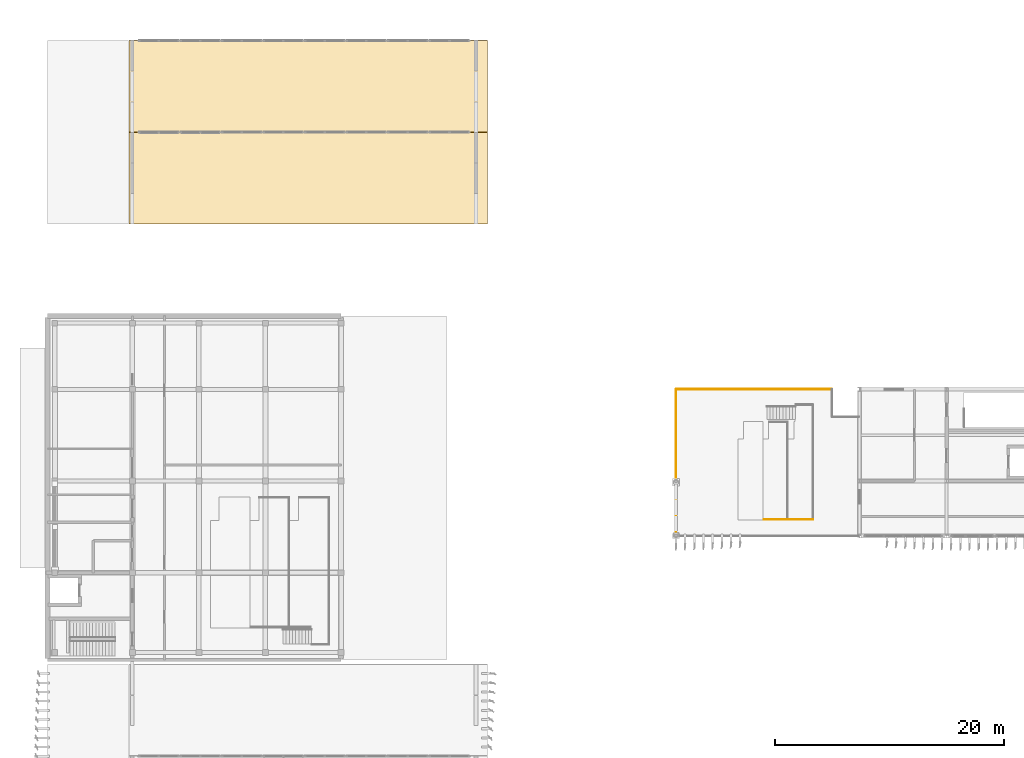
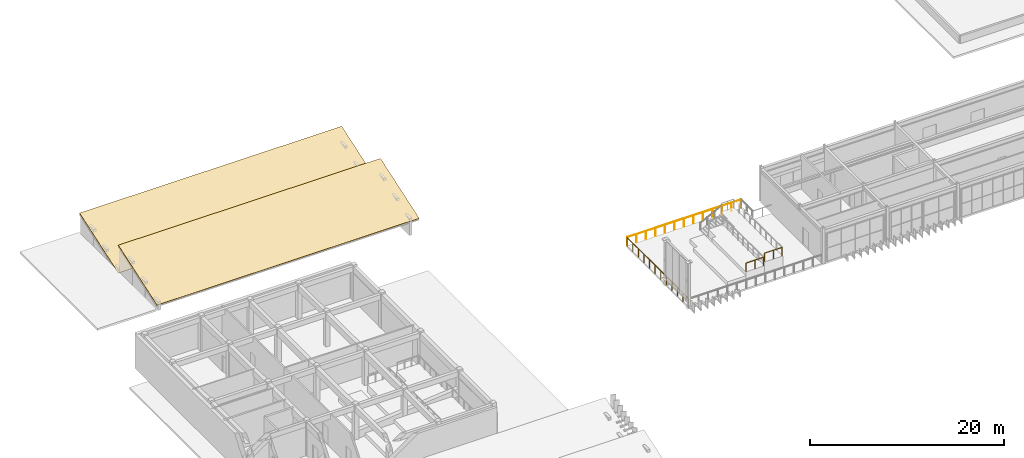
# One storey, part 40 of 45: 4 railings, 2 coverings.
"""IFC4 building model written with IfcOpenShell, lengths in metres."""

from ifc_helpers import new_model, si_unit, direction, frame, origin, origin_2d, place, context, subcontext, project, spatial, polyline, circle, outline, extrude, material, layer, layer_set, type_object, element, save


model = new_model("IFC4")

# Units and contexts
model_context = context("Model", 3, precision=1e-05, world=origin(), true_north=direction((0.0, 1.0)))
body_context = subcontext(model_context, "Body", "Model", "MODEL_VIEW")
ifc_project = project(units=[si_unit("LENGTHUNIT", "METRE"), si_unit("AREAUNIT", "SQUARE_METRE"), si_unit("VOLUMEUNIT", "CUBIC_METRE"), si_unit("PLANEANGLEUNIT", "RADIAN"), si_unit("MASSUNIT", "GRAM", prefix="KILO")], contexts=[model_context])

# Site, building, storey
site_placement = place(None, origin())
site = spatial("IfcSite", under=ifc_project, at=site_placement, CompositionType="ELEMENT")
building_placement = place(site_placement, origin())
building = spatial("IfcBuilding", under=site, at=building_placement, Name="Cinchona Park Media Centre", CompositionType="ELEMENT")
storey_placement = place(building_placement, frame((0.0, 0.0, 20.39990234375)))
storey = spatial("IfcBuildingStorey", under=building, at=storey_placement, Name="L04", CompositionType="ELEMENT", Elevation=20.39990234375)

# Coverings
ifc_material_1 = material(Name="Standing Seam Insulated Steel Roofing", Category="steel")
ifc_layer = layer(ifc_material_1, 0.080078125)
ifc_layer_set = layer_set([ifc_layer], Name="Standing Seam Insulated Steel Roofing")
covering_type = type_object("IfcCoveringType", Name="COVERING-ROOF01", PredefinedType="ROOFING", material=ifc_layer_set)
covering_1_placement = place(storey_placement, frame((15.10009765625, 102.0, 0.4970703125), z_axis=(0.0, -0.319773452474, 0.947494031165), x_axis=(1.0, 0.0, 0.0)))
element("IfcCovering", 1, at=covering_1_placement, inside=storey, type_object=covering_type, Name="Standing Seam Roof Covering V2 Bay 1", PredefinedType="ROOFING", context=body_context, shape_type="SweptSolid", body=[
    extrude(outline(polyline([(0.0, 0.0), (31.25, 0.0), (31.25, 8.443324957059819), (0.0, 8.443324957059819), (0.0, 0.0)])), origin(), (0.0, 0.0, -1.0), 0.080078125),
])
covering_2_placement = place(storey_placement, frame((15.10009765625, 110.0, -0.302978515625), z_axis=(0.0, -0.319799410609, 0.947485270057), x_axis=(1.0, 0.0, 0.0)))
element("IfcCovering", 2, at=covering_2_placement, inside=storey, type_object=covering_type, Name="Standing Seam Roof Covering V2 Bay 2", PredefinedType="ROOFING", context=body_context, shape_type="SweptSolid", body=[
    extrude(outline(polyline([(0.0, 0.0), (31.25, 0.0), (31.25, 8.443403029919095), (0.0, 8.443403029919095), (0.0, 0.0)])), origin(), (0.0, 0.0, -1.0), 0.080078125),
])

# Railings
ifc_material_2 = material(Name="Galvanised Painted Steel Balustrade", Category="steel")
railing_type_1 = type_object("IfcRailingType", Name="RAILING-GR01", PredefinedType="BALUSTRADE", material=ifc_material_2)
railing_1_placement = place(storey_placement, frame((62.800048828125, 74.83203125, 0.0)))
element("IfcRailing", 3, at=railing_1_placement, inside=storey, type_object=railing_type_1, Name="Rooftop Amphitheatre Balustrade GR01 112", PredefinedType="BALUSTRADE", context=body_context, shape_type="SweptSolid", body=[
    extrude(circle(Radius=0.02392578125, at=origin_2d()), frame((0.0, 0.0, 1.076171875), z_axis=(0.0, 1.0, 0.0), x_axis=(-1.0, 0.0, 0.0)), (0.0, 0.0, 1.0), 12.736083984375),
    extrude(circle(Radius=0.02099609375, at=origin_2d()), origin(), (0.0, 0.0, 1.0), 1.052001953125),
    extrude(circle(Radius=0.02099609375, at=origin_2d()), frame((0.0, 1.15771484375, 0.0)), (0.0, 0.0, 1.0), 1.052001953125),
    extrude(circle(Radius=0.02099609375, at=origin_2d()), frame((0.0, 2.315673828125, 0.0)), (0.0, 0.0, 1.0), 1.052001953125),
    extrude(circle(Radius=0.02099609375, at=origin_2d()), frame((0.0, 3.473388671875, 0.0)), (0.0, 0.0, 1.0), 1.052001953125),
    extrude(circle(Radius=0.02099609375, at=origin_2d()), frame((0.0, 4.63134765625, 0.0)), (0.0, 0.0, 1.0), 1.052001953125),
    extrude(circle(Radius=0.02099609375, at=origin_2d()), frame((0.0, 5.7890625, 0.0)), (0.0, 0.0, 1.0), 1.052001953125),
    extrude(circle(Radius=0.02099609375, at=origin_2d()), frame((0.0, 6.947021484375, 0.0)), (0.0, 0.0, 1.0), 1.052001953125),
    extrude(circle(Radius=0.02099609375, at=origin_2d()), frame((0.0, 8.104736328125, 0.0)), (0.0, 0.0, 1.0), 1.052001953125),
    extrude(circle(Radius=0.02099609375, at=origin_2d()), frame((0.0, 9.2626953125, 0.0)), (0.0, 0.0, 1.0), 1.052001953125),
    extrude(circle(Radius=0.02099609375, at=origin_2d()), frame((0.0, 10.42041015625, 0.0)), (0.0, 0.0, 1.0), 1.052001953125),
    extrude(circle(Radius=0.02099609375, at=origin_2d()), frame((0.0, 11.578369140625, 0.0)), (0.0, 0.0, 1.0), 1.052001953125),
    extrude(circle(Radius=0.02099609375, at=origin_2d()), frame((0.0, 12.736083984375, 0.0)), (0.0, 0.0, 1.0), 1.052001953125),
])
railing_2_placement = place(storey_placement, frame((62.83203125, 87.60009765625, 0.0)))
element("IfcRailing", 4, at=railing_2_placement, inside=storey, type_object=railing_type_1, Name="Rooftop Amphitheatre Balustrade GR01 113", PredefinedType="BALUSTRADE", context=body_context, shape_type="SweptSolid", body=[
    extrude(circle(Radius=0.02392578125, at=origin_2d()), frame((0.0, 0.0, 1.076171875), z_axis=(1.0, 0.0, 0.0), x_axis=(0.0, 1.0, 0.0)), (0.0, 0.0, 1.0), 13.535888671875),
    extrude(circle(Radius=0.02099609375, at=origin_2d()), origin(), (0.0, 0.0, 1.0), 1.052001953125),
    extrude(circle(Radius=0.02099609375, at=origin_2d()), frame((1.1279296875, 0.0, 0.0)), (0.0, 0.0, 1.0), 1.052001953125),
    extrude(circle(Radius=0.02099609375, at=origin_2d()), frame((2.255859375, 0.0, 0.0)), (0.0, 0.0, 1.0), 1.052001953125),
    extrude(circle(Radius=0.02099609375, at=origin_2d()), frame((3.384033203125, 0.0, 0.0)), (0.0, 0.0, 1.0), 1.052001953125),
    extrude(circle(Radius=0.02099609375, at=origin_2d()), frame((4.511962890625, 0.0, 0.0)), (0.0, 0.0, 1.0), 1.052001953125),
    extrude(circle(Radius=0.02099609375, at=origin_2d()), frame((5.639892578125, 0.0, 0.0)), (0.0, 0.0, 1.0), 1.052001953125),
    extrude(circle(Radius=0.02099609375, at=origin_2d()), frame((6.76806640625, 0.0, 0.0)), (0.0, 0.0, 1.0), 1.052001953125),
    extrude(circle(Radius=0.02099609375, at=origin_2d()), frame((7.89599609375, 0.0, 0.0)), (0.0, 0.0, 1.0), 1.052001953125),
    extrude(circle(Radius=0.02099609375, at=origin_2d()), frame((9.02392578125, 0.0, 0.0)), (0.0, 0.0, 1.0), 1.052001953125),
    extrude(circle(Radius=0.02099609375, at=origin_2d()), frame((10.15185546875, 0.0, 0.0)), (0.0, 0.0, 1.0), 1.052001953125),
    extrude(circle(Radius=0.02099609375, at=origin_2d()), frame((11.27978515625, 0.0, 0.0)), (0.0, 0.0, 1.0), 1.052001953125),
    extrude(circle(Radius=0.02099609375, at=origin_2d()), frame((12.407958984375, 0.0, 0.0)), (0.0, 0.0, 1.0), 1.052001953125),
    extrude(circle(Radius=0.02099609375, at=origin_2d()), frame((13.535888671875, 0.0, 0.0)), (0.0, 0.0, 1.0), 1.052001953125),
])
ifc_material_3 = material(Name="Painted Steel Stairwell Guardrail", Category="steel")
railing_type_2 = type_object("IfcRailingType", Name="RAILING-GR02", PredefinedType="GUARDRAIL", material=ifc_material_3)
for number, where, name in (
    (5, (70.4599609375, 76.25, 0.960205078125), "Auditorium Tier Side Guardrail GR02 173"),
    (6, (72.659912109375, 76.25, 1.440185546875), "Auditorium Tier Side Guardrail GR02 176"),
):
    element("IfcRailing", number, at=place(storey_placement, frame(where)), inside=storey, type_object=railing_type_2, Name=name, PredefinedType="GUARDRAIL", context=body_context, shape_type="SweptSolid", body=[
        extrude(circle(Radius=0.02392578125, at=origin_2d()), frame((0.0, 0.0, 1.076171875), z_axis=(1.0, 0.0, 0.0), x_axis=(0.0, 1.0, 0.0)), (0.0, 0.0, 1.0), 2.080078125),
        extrude(circle(Radius=0.02099609375, at=origin_2d()), origin(), (0.0, 0.0, 1.0), 1.052001953125),
        extrude(circle(Radius=0.02099609375, at=origin_2d()), frame((1.0400390625, 0.0, 0.0)), (0.0, 0.0, 1.0), 1.052001953125),
        extrude(circle(Radius=0.02099609375, at=origin_2d()), frame((2.080078125, 0.0, 0.0)), (0.0, 0.0, 1.0), 1.052001953125),
    ])

save(model, "model.ifc")
